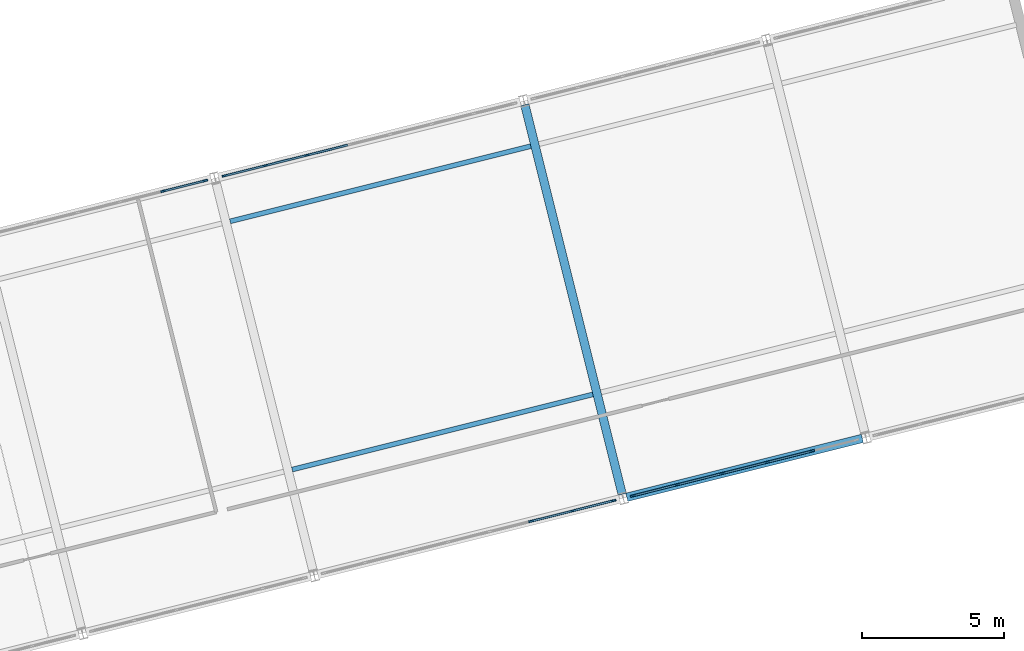
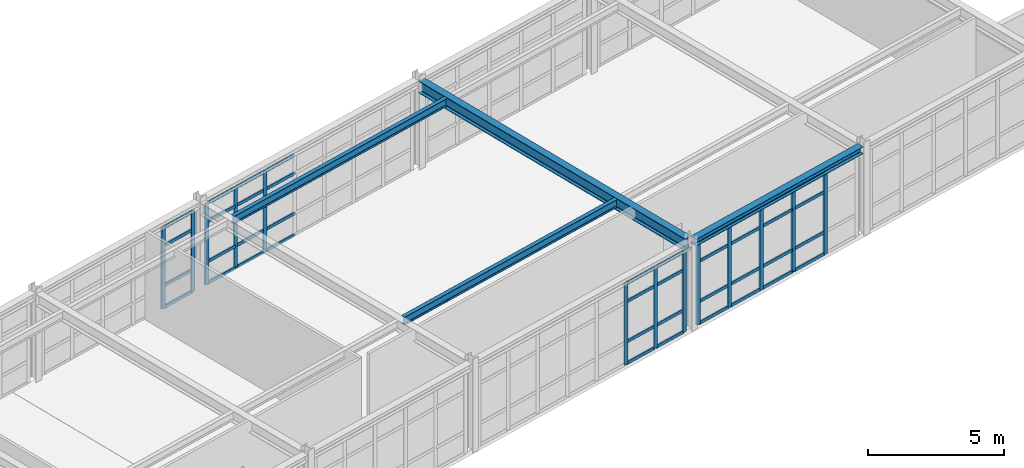
# One storey, part 21 of 76: 53 members, 4 beams, 4 elements without a shape of their own.
"""IFC4 building model written with IfcOpenShell, lengths in metres."""

from ifc_helpers import new_model, si_unit, direction, frame, origin, origin_2d, place, context, subcontext, project, spatial, rectangle, i_section, extrude, material, layer, layer_set, material_profile, profile_set, type_object, element, aggregate, save


model = new_model("IFC4")

# Units and contexts
model_context = context("Model", 3, precision=1e-05, world=origin(), true_north=direction((0.0, 1.0)))
body_context = subcontext(model_context, "Body", "Model", "MODEL_VIEW")
ifc_project = project(units=[si_unit("LENGTHUNIT", "METRE"), si_unit("AREAUNIT", "SQUARE_METRE"), si_unit("VOLUMEUNIT", "CUBIC_METRE"), si_unit("PLANEANGLEUNIT", "RADIAN"), si_unit("MASSUNIT", "GRAM", prefix="KILO")], contexts=[model_context])

# Site, building, storey
site_placement = place(None, origin())
site = spatial("IfcSite", under=ifc_project, at=site_placement, CompositionType="ELEMENT")
building_placement = place(site_placement, origin())
building = spatial("IfcBuilding", under=site, at=building_placement, Name="Nordkorset Police Headquarters", CompositionType="ELEMENT")
storey_placement = place(building_placement, frame((0.0, 0.0, 13.64990234375)))
storey = spatial("IfcBuildingStorey", under=building, at=storey_placement, Name="L03", CompositionType="ELEMENT", Elevation=13.64990234375)

# Beams
ifc_material_1 = material(Name="Steel S355J2", Category="steel")
ifc_material_profile_1 = material_profile(ifc_material_1, i_section(OverallWidth=0.169921875, OverallDepth=0.360107421875, WebThickness=0.008056640625, FlangeThickness=0.0126953125, FilletRadius=0.01806640625, at=origin_2d()), Name="IPE 360")
ifc_profile_set_1 = profile_set([ifc_material_profile_1], Name="Steel S355J2")
beam_type_1 = type_object("IfcBeamType", Name="Beam_IPE_360", PredefinedType="BEAM", material=ifc_profile_set_1)
for number, where, z_axis, x_axis, name in (
    (1, (50.763916015625, 52.7080078125, 3.800048828125), (0.970145135142, 0.242525084807, 0.0), (-0.242525084807, 0.970145135142, 0.0), "Splayed Wing Secondary Beam L03 3-1"),
    (2, (48.5810546875, 61.439208984375, 3.800048828125), (0.970145135142, 0.242525084807, 0.0), (-0.242525084807, 0.970145135142, 0.0), "Splayed Wing Secondary Beam L03 3-2"),
):
    element("IfcBeam", number, at=place(storey_placement, frame(where, z_axis=z_axis, x_axis=x_axis)), inside=storey, type_object=beam_type_1, Name=name, PredefinedType="BEAM", context=body_context, shape_type="SweptSolid", body=[
        extrude(i_section(OverallWidth=0.169921875, OverallDepth=0.360107421875, WebThickness=0.008056640625, FlangeThickness=0.0126953125, FilletRadius=0.01806640625, at=origin_2d()), origin(), (0.0, 0.0, 1.0), 10.900146484375),
    ])

# Curtain wall, members
ifc_material_2 = material(Name="Aluminium alloy AW-6060", Category="aluminium")
ifc_layer_1 = layer(ifc_material_2, 0.179931640625, Name="Aluminium alloy AW-6060")
ifc_layer_set_1 = layer_set([ifc_layer_1], Name="Aluminium alloy AW-6060")
curtain_wall_type_1 = type_object("IfcCurtainWallType", Name="CW_Unit_776x365", PredefinedType="USERDEFINED", material=ifc_layer_set_1)
curtain_wall_1_placement = place(storey_placement, origin())
curtain_wall_1 = element("IfcCurtainWall", 3, at=curtain_wall_1_placement, inside=storey, type_object=curtain_wall_type_1, Name="Unitised Curtain Wall L03 V4N-2", ObjectType="UNITISED CURTAIN WALL", PredefinedType="USERDEFINED")
ifc_material_3 = material(Name="Aluminium alloy AW-6060", Category="aluminium")
ifc_material_profile_2 = material_profile(ifc_material_3, rectangle(XDim=0.06494140625, YDim=0.179931640625, at=origin_2d()), Name="ALU MULL 65x180")
ifc_profile_set_2 = profile_set([ifc_material_profile_2], Name="Aluminium alloy AW-6060")
member_type_1 = type_object("IfcMemberType", Name="CW_Mullion_65x180", PredefinedType="MULLION", material=ifc_profile_set_2)
member_1_placement = place(storey_placement, frame((46.2314453125, 62.5009765625, 0.0), z_axis=(0.0, 0.0, 1.0), x_axis=(-0.242535928242, 0.970142424344, 0.0)))
member_1 = element("IfcMember", 4, at=member_1_placement, type_object=member_type_1, Name="CW-42 mullion 5", PredefinedType="MULLION", context=body_context, shape_type="SweptSolid", body=[
    extrude(rectangle(XDim=0.06494140625, YDim=0.179931640625, at=origin_2d()), origin(), (0.0, 0.0, 1.0), 3.650146484375),
])
member_2_placement = place(storey_placement, frame((47.70556640625, 62.86962890625, 0.0), z_axis=(0.0, 0.0, 1.0), x_axis=(-0.242535928242, 0.970142424344, 0.0)))
member_2 = element("IfcMember", 5, at=member_2_placement, type_object=member_type_1, Name="CW-42 mullion 6", PredefinedType="MULLION", context=body_context, shape_type="SweptSolid", body=[
    extrude(rectangle(XDim=0.06494140625, YDim=0.179931640625, at=origin_2d()), origin(), (0.0, 0.0, 1.0), 3.650146484375),
])

ifc_material_4 = material(Name="Aluminium alloy AW-6060", Category="aluminium")
ifc_layer_2 = layer(ifc_material_4, 0.179931640625, Name="Aluminium alloy AW-6060")
ifc_layer_set_2 = layer_set([ifc_layer_2], Name="Aluminium alloy AW-6060")
curtain_wall_type_2 = type_object("IfcCurtainWallType", Name="CW_Unit_1056x365", PredefinedType="USERDEFINED", material=ifc_layer_set_2)
curtain_wall_2_placement = place(storey_placement, origin())
curtain_wall_2 = element("IfcCurtainWall", 6, at=curtain_wall_2_placement, inside=storey, type_object=curtain_wall_type_2, Name="Unitised Curtain Wall L03 V4S-3", ObjectType="UNITISED CURTAIN WALL", PredefinedType="USERDEFINED")
member_3_placement = place(storey_placement, frame((59.168212890625, 50.89208984375, 0.0), z_axis=(0.0, 0.0, 1.0), x_axis=(-0.242535179399, 0.970142611554, 0.0)))
member_3 = element("IfcMember", 7, at=member_3_placement, type_object=member_type_1, Name="CW-11 mullion 6", PredefinedType="MULLION", context=body_context, shape_type="SweptSolid", body=[
    extrude(rectangle(XDim=0.06494140625, YDim=0.179931640625, at=origin_2d()), origin(), (0.0, 0.0, 1.0), 3.650146484375),
])
member_4_placement = place(storey_placement, frame((60.6318359375, 51.2578125, 0.0), z_axis=(0.0, 0.0, 1.0), x_axis=(-0.242535179399, 0.970142611554, 0.0)))
member_4 = element("IfcMember", 8, at=member_4_placement, type_object=member_type_1, Name="CW-11 mullion 7", PredefinedType="MULLION", context=body_context, shape_type="SweptSolid", body=[
    extrude(rectangle(XDim=0.06494140625, YDim=0.179931640625, at=origin_2d()), origin(), (0.0, 0.0, 1.0), 3.650146484375),
])
member_5_placement = place(storey_placement, frame((62.063720703125, 51.615966796875, 0.0), z_axis=(0.0, 0.0, 1.0), x_axis=(-0.242535179399, 0.970142611554, 0.0)))
member_5 = element("IfcMember", 9, at=member_5_placement, type_object=member_type_1, Name="CW-11 mullion 8", PredefinedType="MULLION", context=body_context, shape_type="SweptSolid", body=[
    extrude(rectangle(XDim=0.06494140625, YDim=0.179931640625, at=origin_2d()), origin(), (0.0, 0.0, 1.0), 3.650146484375),
])

curtain_wall_3_placement = place(storey_placement, origin())
curtain_wall_3 = element("IfcCurtainWall", 10, at=curtain_wall_3_placement, inside=storey, type_object=curtain_wall_type_2, Name="Unitised Curtain Wall L03 V4N-3", ObjectType="UNITISED CURTAIN WALL", PredefinedType="USERDEFINED")
member_6_placement = place(storey_placement, frame((48.3896484375, 63.04052734375, 0.0), z_axis=(0.0, 0.0, 1.0), x_axis=(-0.242536070676, 0.970142388735, 0.0)))
member_6 = element("IfcMember", 11, at=member_6_placement, type_object=member_type_1, Name="CW-11 mullion 1", PredefinedType="MULLION", context=body_context, shape_type="SweptSolid", body=[
    extrude(rectangle(XDim=0.06494140625, YDim=0.179931640625, at=origin_2d()), origin(), (0.0, 0.0, 1.0), 3.650146484375),
])
member_7_placement = place(storey_placement, frame((49.821533203125, 63.398681640625, 0.0), z_axis=(0.0, 0.0, 1.0), x_axis=(-0.242536070676, 0.970142388735, 0.0)))
member_7 = element("IfcMember", 12, at=member_7_placement, type_object=member_type_1, Name="CW-11 mullion 2", PredefinedType="MULLION", context=body_context, shape_type="SweptSolid", body=[
    extrude(rectangle(XDim=0.06494140625, YDim=0.179931640625, at=origin_2d()), origin(), (0.0, 0.0, 1.0), 3.650146484375),
])
member_8_placement = place(storey_placement, frame((51.28515625, 63.764404296875, 0.0), z_axis=(0.0, 0.0, 1.0), x_axis=(-0.242536070676, 0.970142388735, 0.0)))
member_8 = element("IfcMember", 13, at=member_8_placement, type_object=member_type_1, Name="CW-11 mullion 3", PredefinedType="MULLION", context=body_context, shape_type="SweptSolid", body=[
    extrude(rectangle(XDim=0.06494140625, YDim=0.179931640625, at=origin_2d()), origin(), (0.0, 0.0, 1.0), 3.650146484375),
])

ifc_material_5 = material(Name="Aluminium alloy AW-6060", Category="aluminium")
ifc_layer_3 = layer(ifc_material_5, 0.179931640625, Name="Aluminium alloy AW-6060")
ifc_layer_set_3 = layer_set([ifc_layer_3], Name="Aluminium alloy AW-6060")
curtain_wall_type_3 = type_object("IfcCurtainWallType", Name="CW_Unit_816x366", PredefinedType="USERDEFINED", material=ifc_layer_set_3)
curtain_wall_4_placement = place(storey_placement, origin())
curtain_wall_4 = element("IfcCurtainWall", 14, at=curtain_wall_4_placement, inside=storey, type_object=curtain_wall_type_3, Name="Unitised Curtain Wall L03 V4S-4", ObjectType="UNITISED CURTAIN WALL", PredefinedType="USERDEFINED")
member_9_placement = place(storey_placement, frame((62.74755859375, 51.786865234375, 0.0), z_axis=(0.0, 0.0, 1.0), x_axis=(-0.242535625038, 0.970142500145, 0.0)))
member_9 = element("IfcMember", 15, at=member_9_placement, type_object=member_type_1, Name="CW-87 mullion 1", PredefinedType="MULLION", context=body_context, shape_type="SweptSolid", body=[
    extrude(rectangle(XDim=0.06494140625, YDim=0.179931640625, at=origin_2d()), origin(), (0.0, 0.0, 1.0), 3.655029296875),
])
member_10_placement = place(storey_placement, frame((64.29931640625, 52.1748046875, 0.0), z_axis=(0.0, 0.0, 1.0), x_axis=(-0.242535625038, 0.970142500145, 0.0)))
member_10 = element("IfcMember", 16, at=member_10_placement, type_object=member_type_1, Name="CW-87 mullion 2", PredefinedType="MULLION", context=body_context, shape_type="SweptSolid", body=[
    extrude(rectangle(XDim=0.06494140625, YDim=0.179931640625, at=origin_2d()), origin(), (0.0, 0.0, 1.0), 3.655029296875),
])
member_11_placement = place(storey_placement, frame((65.8828125, 52.570556640625, 0.0), z_axis=(0.0, 0.0, 1.0), x_axis=(-0.242535625038, 0.970142500145, 0.0)))
member_11 = element("IfcMember", 17, at=member_11_placement, type_object=member_type_1, Name="CW-87 mullion 3", PredefinedType="MULLION", context=body_context, shape_type="SweptSolid", body=[
    extrude(rectangle(XDim=0.06494140625, YDim=0.179931640625, at=origin_2d()), origin(), (0.0, 0.0, 1.0), 3.655029296875),
])
member_12_placement = place(storey_placement, frame((67.466064453125, 52.966552734375, 0.0), z_axis=(0.0, 0.0, 1.0), x_axis=(-0.242535625038, 0.970142500145, 0.0)))
member_12 = element("IfcMember", 18, at=member_12_placement, type_object=member_type_1, Name="CW-87 mullion 4", PredefinedType="MULLION", context=body_context, shape_type="SweptSolid", body=[
    extrude(rectangle(XDim=0.06494140625, YDim=0.179931640625, at=origin_2d()), origin(), (0.0, 0.0, 1.0), 3.655029296875),
])
member_13_placement = place(storey_placement, frame((69.04931640625, 53.3623046875, 0.0), z_axis=(0.0, 0.0, 1.0), x_axis=(-0.242535625038, 0.970142500145, 0.0)))
member_13 = element("IfcMember", 19, at=member_13_placement, type_object=member_type_1, Name="CW-87 mullion 5", PredefinedType="MULLION", context=body_context, shape_type="SweptSolid", body=[
    extrude(rectangle(XDim=0.06494140625, YDim=0.179931640625, at=origin_2d()), origin(), (0.0, 0.0, 1.0), 3.655029296875),
])

# Member
ifc_material_6 = material(Name="Aluminium alloy AW-6060", Category="aluminium")
ifc_material_profile_3 = material_profile(ifc_material_6, rectangle(XDim=0.06494140625, YDim=0.139892578125, at=origin_2d()), Name="ALU TRAN 65x140")
ifc_profile_set_3 = profile_set([ifc_material_profile_3], Name="Aluminium alloy AW-6060")
member_type_2 = type_object("IfcMemberType", Name="CW_Transom_65x140", PredefinedType="USERDEFINED", material=ifc_profile_set_3)
member_14_placement = place(storey_placement, frame((46.262939453125, 62.509033203125, 0.03271484375), z_axis=(0.970142500145, 0.242535625036, 0.0), x_axis=(-0.242535625036, 0.970142500145, 0.0)))
member_14 = element("IfcMember", 20, at=member_14_placement, type_object=member_type_2, Name="CW-42 transom 5.1", ObjectType="TRANSOM", PredefinedType="USERDEFINED", context=body_context, shape_type="SweptSolid", body=[
    extrude(rectangle(XDim=0.06494140625, YDim=0.139892578125, at=origin_2d()), origin(), (0.0, 0.0, 1.0), 1.45458984375),
])

member_15_placement = place(storey_placement, frame((46.262939453125, 62.509033203125, 1.0), z_axis=(0.970142500145, 0.242535625036, 0.0), x_axis=(-0.242535625036, 0.970142500145, 0.0)))
member_15 = element("IfcMember", 21, at=member_15_placement, type_object=member_type_2, Name="CW-42 transom 5.2", ObjectType="TRANSOM", PredefinedType="USERDEFINED", context=body_context, shape_type="SweptSolid", body=[
    extrude(rectangle(XDim=0.06494140625, YDim=0.139892578125, at=origin_2d()), origin(), (0.0, 0.0, 1.0), 1.45458984375),
])

member_16_placement = place(storey_placement, frame((46.262939453125, 62.509033203125, 2.800048828125), z_axis=(0.970142500145, 0.242535625036, 0.0), x_axis=(-0.242535625036, 0.970142500145, 0.0)))
member_16 = element("IfcMember", 22, at=member_16_placement, type_object=member_type_2, Name="CW-42 transom 5.3", ObjectType="TRANSOM", PredefinedType="USERDEFINED", context=body_context, shape_type="SweptSolid", body=[
    extrude(rectangle(XDim=0.06494140625, YDim=0.139892578125, at=origin_2d()), origin(), (0.0, 0.0, 1.0), 1.45458984375),
])

member_17_placement = place(storey_placement, frame((46.262939453125, 62.509033203125, 3.61767578125), z_axis=(0.970142500145, 0.242535625036, 0.0), x_axis=(-0.242535625036, 0.970142500145, 0.0)))
member_17 = element("IfcMember", 23, at=member_17_placement, type_object=member_type_2, Name="CW-42 transom 5.4", ObjectType="TRANSOM", PredefinedType="USERDEFINED", context=body_context, shape_type="SweptSolid", body=[
    extrude(rectangle(XDim=0.06494140625, YDim=0.139892578125, at=origin_2d()), origin(), (0.0, 0.0, 1.0), 1.45458984375),
])

aggregate(curtain_wall_1, [member_1, member_2, member_14, member_15, member_16, member_17])

member_18_placement = place(storey_placement, frame((59.19970703125, 50.89990234375, 0.03271484375), z_axis=(0.970142500145, 0.242535625036, 0.0), x_axis=(-0.242535625036, 0.970142500145, 0.0)))
member_18 = element("IfcMember", 24, at=member_18_placement, type_object=member_type_2, Name="CW-11 transom 6.1", ObjectType="TRANSOM", PredefinedType="USERDEFINED", context=body_context, shape_type="SweptSolid", body=[
    extrude(rectangle(XDim=0.06494140625, YDim=0.139892578125, at=origin_2d()), origin(), (0.0, 0.0, 1.0), 1.443603515625),
])

member_19_placement = place(storey_placement, frame((59.19970703125, 50.89990234375, 1.0), z_axis=(0.970142500145, 0.242535625036, 0.0), x_axis=(-0.242535625036, 0.970142500145, 0.0)))
member_19 = element("IfcMember", 25, at=member_19_placement, type_object=member_type_2, Name="CW-11 transom 6.2", ObjectType="TRANSOM", PredefinedType="USERDEFINED", context=body_context, shape_type="SweptSolid", body=[
    extrude(rectangle(XDim=0.06494140625, YDim=0.139892578125, at=origin_2d()), origin(), (0.0, 0.0, 1.0), 1.443603515625),
])

member_20_placement = place(storey_placement, frame((59.19970703125, 50.89990234375, 2.800048828125), z_axis=(0.970142500145, 0.242535625036, 0.0), x_axis=(-0.242535625036, 0.970142500145, 0.0)))
member_20 = element("IfcMember", 26, at=member_20_placement, type_object=member_type_2, Name="CW-11 transom 6.3", ObjectType="TRANSOM", PredefinedType="USERDEFINED", context=body_context, shape_type="SweptSolid", body=[
    extrude(rectangle(XDim=0.06494140625, YDim=0.139892578125, at=origin_2d()), origin(), (0.0, 0.0, 1.0), 1.443603515625),
])

member_21_placement = place(storey_placement, frame((59.19970703125, 50.89990234375, 3.61767578125), z_axis=(0.970142500145, 0.242535625036, 0.0), x_axis=(-0.242535625036, 0.970142500145, 0.0)))
member_21 = element("IfcMember", 27, at=member_21_placement, type_object=member_type_2, Name="CW-11 transom 6.4", ObjectType="TRANSOM", PredefinedType="USERDEFINED", context=body_context, shape_type="SweptSolid", body=[
    extrude(rectangle(XDim=0.06494140625, YDim=0.139892578125, at=origin_2d()), origin(), (0.0, 0.0, 1.0), 1.443603515625),
])

member_22_placement = place(storey_placement, frame((60.663330078125, 51.265869140625, 0.03271484375), z_axis=(0.970132321548, 0.242576335796, 0.0), x_axis=(-0.242576335796, 0.970132321548, 0.0)))
member_22 = element("IfcMember", 28, at=member_22_placement, type_object=member_type_2, Name="CW-11 transom 7.1", ObjectType="TRANSOM", PredefinedType="USERDEFINED", context=body_context, shape_type="SweptSolid", body=[
    extrude(rectangle(XDim=0.06494140625, YDim=0.139892578125, at=origin_2d()), origin(), (0.0, 0.0, 1.0), 1.4111328125),
])

member_23_placement = place(storey_placement, frame((60.663330078125, 51.265869140625, 1.0), z_axis=(0.970132321548, 0.242576335796, 0.0), x_axis=(-0.242576335796, 0.970132321548, 0.0)))
member_23 = element("IfcMember", 29, at=member_23_placement, type_object=member_type_2, Name="CW-11 transom 7.2", ObjectType="TRANSOM", PredefinedType="USERDEFINED", context=body_context, shape_type="SweptSolid", body=[
    extrude(rectangle(XDim=0.06494140625, YDim=0.139892578125, at=origin_2d()), origin(), (0.0, 0.0, 1.0), 1.4111328125),
])

member_24_placement = place(storey_placement, frame((60.663330078125, 51.265869140625, 2.800048828125), z_axis=(0.970132321548, 0.242576335796, 0.0), x_axis=(-0.242576335796, 0.970132321548, 0.0)))
member_24 = element("IfcMember", 30, at=member_24_placement, type_object=member_type_2, Name="CW-11 transom 7.3", ObjectType="TRANSOM", PredefinedType="USERDEFINED", context=body_context, shape_type="SweptSolid", body=[
    extrude(rectangle(XDim=0.06494140625, YDim=0.139892578125, at=origin_2d()), origin(), (0.0, 0.0, 1.0), 1.4111328125),
])

member_25_placement = place(storey_placement, frame((60.663330078125, 51.265869140625, 3.61767578125), z_axis=(0.970132321548, 0.242576335796, 0.0), x_axis=(-0.242576335796, 0.970132321548, 0.0)))
member_25 = element("IfcMember", 31, at=member_25_placement, type_object=member_type_2, Name="CW-11 transom 7.4", ObjectType="TRANSOM", PredefinedType="USERDEFINED", context=body_context, shape_type="SweptSolid", body=[
    extrude(rectangle(XDim=0.06494140625, YDim=0.139892578125, at=origin_2d()), origin(), (0.0, 0.0, 1.0), 1.4111328125),
])

aggregate(curtain_wall_2, [member_3, member_4, member_5, member_18, member_19, member_20, member_21, member_22, member_23, member_24, member_25])

member_26_placement = place(storey_placement, frame((48.421142578125, 63.04833984375, 0.03271484375), z_axis=(0.970132321548, 0.242576335796, 0.0), x_axis=(-0.242576335796, 0.970132321548, 0.0)))
member_26 = element("IfcMember", 32, at=member_26_placement, type_object=member_type_2, Name="CW-11 transom 1.1", ObjectType="TRANSOM", PredefinedType="USERDEFINED", context=body_context, shape_type="SweptSolid", body=[
    extrude(rectangle(XDim=0.06494140625, YDim=0.139892578125, at=origin_2d()), origin(), (0.0, 0.0, 1.0), 1.4111328125),
])

member_27_placement = place(storey_placement, frame((48.421142578125, 63.04833984375, 1.0), z_axis=(0.970132321548, 0.242576335796, 0.0), x_axis=(-0.242576335796, 0.970132321548, 0.0)))
member_27 = element("IfcMember", 33, at=member_27_placement, type_object=member_type_2, Name="CW-11 transom 1.2", ObjectType="TRANSOM", PredefinedType="USERDEFINED", context=body_context, shape_type="SweptSolid", body=[
    extrude(rectangle(XDim=0.06494140625, YDim=0.139892578125, at=origin_2d()), origin(), (0.0, 0.0, 1.0), 1.4111328125),
])

member_28_placement = place(storey_placement, frame((48.421142578125, 63.04833984375, 2.800048828125), z_axis=(0.970132321548, 0.242576335796, 0.0), x_axis=(-0.242576335796, 0.970132321548, 0.0)))
member_28 = element("IfcMember", 34, at=member_28_placement, type_object=member_type_2, Name="CW-11 transom 1.3", ObjectType="TRANSOM", PredefinedType="USERDEFINED", context=body_context, shape_type="SweptSolid", body=[
    extrude(rectangle(XDim=0.06494140625, YDim=0.139892578125, at=origin_2d()), origin(), (0.0, 0.0, 1.0), 1.4111328125),
])

member_29_placement = place(storey_placement, frame((48.421142578125, 63.04833984375, 3.61767578125), z_axis=(0.970132321548, 0.242576335796, 0.0), x_axis=(-0.242576335796, 0.970132321548, 0.0)))
member_29 = element("IfcMember", 35, at=member_29_placement, type_object=member_type_2, Name="CW-11 transom 1.4", ObjectType="TRANSOM", PredefinedType="USERDEFINED", context=body_context, shape_type="SweptSolid", body=[
    extrude(rectangle(XDim=0.06494140625, YDim=0.139892578125, at=origin_2d()), origin(), (0.0, 0.0, 1.0), 1.4111328125),
])

member_30_placement = place(storey_placement, frame((49.85302734375, 63.406494140625, 0.03271484375), z_axis=(0.970152446652, 0.242495835541, 0.0), x_axis=(-0.242495835541, 0.970152446652, 0.0)))
member_30 = element("IfcMember", 36, at=member_30_placement, type_object=member_type_2, Name="CW-11 transom 2.1", ObjectType="TRANSOM", PredefinedType="USERDEFINED", context=body_context, shape_type="SweptSolid", body=[
    extrude(rectangle(XDim=0.06494140625, YDim=0.139892578125, at=origin_2d()), origin(), (0.0, 0.0, 1.0), 1.44384765625),
])

member_31_placement = place(storey_placement, frame((49.85302734375, 63.406494140625, 1.0), z_axis=(0.970152446652, 0.242495835541, 0.0), x_axis=(-0.242495835541, 0.970152446652, 0.0)))
member_31 = element("IfcMember", 37, at=member_31_placement, type_object=member_type_2, Name="CW-11 transom 2.2", ObjectType="TRANSOM", PredefinedType="USERDEFINED", context=body_context, shape_type="SweptSolid", body=[
    extrude(rectangle(XDim=0.06494140625, YDim=0.139892578125, at=origin_2d()), origin(), (0.0, 0.0, 1.0), 1.44384765625),
])

member_32_placement = place(storey_placement, frame((49.85302734375, 63.406494140625, 2.800048828125), z_axis=(0.970152446652, 0.242495835541, 0.0), x_axis=(-0.242495835541, 0.970152446652, 0.0)))
member_32 = element("IfcMember", 38, at=member_32_placement, type_object=member_type_2, Name="CW-11 transom 2.3", ObjectType="TRANSOM", PredefinedType="USERDEFINED", context=body_context, shape_type="SweptSolid", body=[
    extrude(rectangle(XDim=0.06494140625, YDim=0.139892578125, at=origin_2d()), origin(), (0.0, 0.0, 1.0), 1.44384765625),
])

member_33_placement = place(storey_placement, frame((49.85302734375, 63.406494140625, 3.61767578125), z_axis=(0.970152446652, 0.242495835541, 0.0), x_axis=(-0.242495835541, 0.970152446652, 0.0)))
member_33 = element("IfcMember", 39, at=member_33_placement, type_object=member_type_2, Name="CW-11 transom 2.4", ObjectType="TRANSOM", PredefinedType="USERDEFINED", context=body_context, shape_type="SweptSolid", body=[
    extrude(rectangle(XDim=0.06494140625, YDim=0.139892578125, at=origin_2d()), origin(), (0.0, 0.0, 1.0), 1.44384765625),
])

member_34_placement = place(storey_placement, frame((51.316650390625, 63.772216796875, 0.03271484375), z_axis=(0.9701026929, 0.24269479852, 0.0), x_axis=(-0.24269479852, 0.9701026929, 0.0)))
member_34 = element("IfcMember", 40, at=member_34_placement, type_object=member_type_2, Name="CW-11 transom 3.1", ObjectType="TRANSOM", PredefinedType="USERDEFINED", context=body_context, shape_type="SweptSolid", body=[
    extrude(rectangle(XDim=0.06494140625, YDim=0.139892578125, at=origin_2d()), origin(), (0.0, 0.0, 1.0), 1.443603515625),
])

member_35_placement = place(storey_placement, frame((51.316650390625, 63.772216796875, 1.0), z_axis=(0.9701026929, 0.24269479852, 0.0), x_axis=(-0.24269479852, 0.9701026929, 0.0)))
member_35 = element("IfcMember", 41, at=member_35_placement, type_object=member_type_2, Name="CW-11 transom 3.2", ObjectType="TRANSOM", PredefinedType="USERDEFINED", context=body_context, shape_type="SweptSolid", body=[
    extrude(rectangle(XDim=0.06494140625, YDim=0.139892578125, at=origin_2d()), origin(), (0.0, 0.0, 1.0), 1.443603515625),
])

member_36_placement = place(storey_placement, frame((51.316650390625, 63.772216796875, 2.800048828125), z_axis=(0.9701026929, 0.24269479852, 0.0), x_axis=(-0.24269479852, 0.9701026929, 0.0)))
member_36 = element("IfcMember", 42, at=member_36_placement, type_object=member_type_2, Name="CW-11 transom 3.3", ObjectType="TRANSOM", PredefinedType="USERDEFINED", context=body_context, shape_type="SweptSolid", body=[
    extrude(rectangle(XDim=0.06494140625, YDim=0.139892578125, at=origin_2d()), origin(), (0.0, 0.0, 1.0), 1.443603515625),
])

member_37_placement = place(storey_placement, frame((51.316650390625, 63.772216796875, 3.61767578125), z_axis=(0.9701026929, 0.24269479852, 0.0), x_axis=(-0.24269479852, 0.9701026929, 0.0)))
member_37 = element("IfcMember", 43, at=member_37_placement, type_object=member_type_2, Name="CW-11 transom 3.4", ObjectType="TRANSOM", PredefinedType="USERDEFINED", context=body_context, shape_type="SweptSolid", body=[
    extrude(rectangle(XDim=0.06494140625, YDim=0.139892578125, at=origin_2d()), origin(), (0.0, 0.0, 1.0), 1.443603515625),
])

aggregate(curtain_wall_3, [member_6, member_7, member_8, member_26, member_27, member_28, member_29, member_30, member_31, member_32, member_33, member_34, member_35, member_36, member_37])

member_38_placement = place(storey_placement, frame((62.779296875, 51.794921875, 0.03271484375), z_axis=(0.970151859396, 0.242498184963, 0.0), x_axis=(-0.242498184963, 0.970151859396, 0.0)))
member_38 = element("IfcMember", 44, at=member_38_placement, type_object=member_type_2, Name="CW-87 transom 1.1", ObjectType="TRANSOM", PredefinedType="USERDEFINED", context=body_context, shape_type="SweptSolid", body=[
    extrude(rectangle(XDim=0.06494140625, YDim=0.139892578125, at=origin_2d()), origin(), (0.0, 0.0, 1.0), 1.534423828125),
])

member_39_placement = place(storey_placement, frame((62.779296875, 51.794921875, 1.0), z_axis=(0.970151859396, 0.242498184963, 0.0), x_axis=(-0.242498184963, 0.970151859396, 0.0)))
member_39 = element("IfcMember", 45, at=member_39_placement, type_object=member_type_2, Name="CW-87 transom 1.2", ObjectType="TRANSOM", PredefinedType="USERDEFINED", context=body_context, shape_type="SweptSolid", body=[
    extrude(rectangle(XDim=0.06494140625, YDim=0.139892578125, at=origin_2d()), origin(), (0.0, 0.0, 1.0), 1.534423828125),
])

member_40_placement = place(storey_placement, frame((62.779296875, 51.794921875, 2.80517578125), z_axis=(0.970151859396, 0.242498184963, 0.0), x_axis=(-0.242498184963, 0.970151859396, 0.0)))
member_40 = element("IfcMember", 46, at=member_40_placement, type_object=member_type_2, Name="CW-87 transom 1.3", ObjectType="TRANSOM", PredefinedType="USERDEFINED", context=body_context, shape_type="SweptSolid", body=[
    extrude(rectangle(XDim=0.06494140625, YDim=0.139892578125, at=origin_2d()), origin(), (0.0, 0.0, 1.0), 1.534423828125),
])

member_41_placement = place(storey_placement, frame((62.779296875, 51.794921875, 3.62255859375), z_axis=(0.970151859396, 0.242498184963, 0.0), x_axis=(-0.242498184963, 0.970151859396, 0.0)))
member_41 = element("IfcMember", 47, at=member_41_placement, type_object=member_type_2, Name="CW-87 transom 1.4", ObjectType="TRANSOM", PredefinedType="USERDEFINED", context=body_context, shape_type="SweptSolid", body=[
    extrude(rectangle(XDim=0.06494140625, YDim=0.139892578125, at=origin_2d()), origin(), (0.0, 0.0, 1.0), 1.534423828125),
])

member_42_placement = place(storey_placement, frame((64.3310546875, 52.182861328125, 0.03271484375), z_axis=(0.970160829621, 0.242462295357, 0.0), x_axis=(-0.242462295357, 0.970160829621, 0.0)))
member_42 = element("IfcMember", 48, at=member_42_placement, type_object=member_type_2, Name="CW-87 transom 2.1", ObjectType="TRANSOM", PredefinedType="USERDEFINED", context=body_context, shape_type="SweptSolid", body=[
    extrude(rectangle(XDim=0.06494140625, YDim=0.139892578125, at=origin_2d()), origin(), (0.0, 0.0, 1.0), 1.566650390625),
])

member_43_placement = place(storey_placement, frame((64.3310546875, 52.182861328125, 1.0), z_axis=(0.970160829621, 0.242462295357, 0.0), x_axis=(-0.242462295357, 0.970160829621, 0.0)))
member_43 = element("IfcMember", 49, at=member_43_placement, type_object=member_type_2, Name="CW-87 transom 2.2", ObjectType="TRANSOM", PredefinedType="USERDEFINED", context=body_context, shape_type="SweptSolid", body=[
    extrude(rectangle(XDim=0.06494140625, YDim=0.139892578125, at=origin_2d()), origin(), (0.0, 0.0, 1.0), 1.566650390625),
])

member_44_placement = place(storey_placement, frame((64.3310546875, 52.182861328125, 2.80517578125), z_axis=(0.970160829621, 0.242462295357, 0.0), x_axis=(-0.242462295357, 0.970160829621, 0.0)))
member_44 = element("IfcMember", 50, at=member_44_placement, type_object=member_type_2, Name="CW-87 transom 2.3", ObjectType="TRANSOM", PredefinedType="USERDEFINED", context=body_context, shape_type="SweptSolid", body=[
    extrude(rectangle(XDim=0.06494140625, YDim=0.139892578125, at=origin_2d()), origin(), (0.0, 0.0, 1.0), 1.566650390625),
])

member_45_placement = place(storey_placement, frame((64.3310546875, 52.182861328125, 3.62255859375), z_axis=(0.970160829621, 0.242462295357, 0.0), x_axis=(-0.242462295357, 0.970160829621, 0.0)))
member_45 = element("IfcMember", 51, at=member_45_placement, type_object=member_type_2, Name="CW-87 transom 2.4", ObjectType="TRANSOM", PredefinedType="USERDEFINED", context=body_context, shape_type="SweptSolid", body=[
    extrude(rectangle(XDim=0.06494140625, YDim=0.139892578125, at=origin_2d()), origin(), (0.0, 0.0, 1.0), 1.566650390625),
])

member_46_placement = place(storey_placement, frame((65.914306640625, 52.57861328125, 0.03271484375), z_axis=(0.970160829621, 0.242462295357, 0.0), x_axis=(-0.242462295357, 0.970160829621, 0.0)))
member_46 = element("IfcMember", 52, at=member_46_placement, type_object=member_type_2, Name="CW-87 transom 3.1", ObjectType="TRANSOM", PredefinedType="USERDEFINED", context=body_context, shape_type="SweptSolid", body=[
    extrude(rectangle(XDim=0.06494140625, YDim=0.139892578125, at=origin_2d()), origin(), (0.0, 0.0, 1.0), 1.566650390625),
])

member_47_placement = place(storey_placement, frame((65.914306640625, 52.57861328125, 1.0), z_axis=(0.970160829621, 0.242462295357, 0.0), x_axis=(-0.242462295357, 0.970160829621, 0.0)))
member_47 = element("IfcMember", 53, at=member_47_placement, type_object=member_type_2, Name="CW-87 transom 3.2", ObjectType="TRANSOM", PredefinedType="USERDEFINED", context=body_context, shape_type="SweptSolid", body=[
    extrude(rectangle(XDim=0.06494140625, YDim=0.139892578125, at=origin_2d()), origin(), (0.0, 0.0, 1.0), 1.566650390625),
])

member_48_placement = place(storey_placement, frame((65.914306640625, 52.57861328125, 2.80517578125), z_axis=(0.970160829621, 0.242462295357, 0.0), x_axis=(-0.242462295357, 0.970160829621, 0.0)))
member_48 = element("IfcMember", 54, at=member_48_placement, type_object=member_type_2, Name="CW-87 transom 3.3", ObjectType="TRANSOM", PredefinedType="USERDEFINED", context=body_context, shape_type="SweptSolid", body=[
    extrude(rectangle(XDim=0.06494140625, YDim=0.139892578125, at=origin_2d()), origin(), (0.0, 0.0, 1.0), 1.566650390625),
])

member_49_placement = place(storey_placement, frame((65.914306640625, 52.57861328125, 3.62255859375), z_axis=(0.970160829621, 0.242462295357, 0.0), x_axis=(-0.242462295357, 0.970160829621, 0.0)))
member_49 = element("IfcMember", 55, at=member_49_placement, type_object=member_type_2, Name="CW-87 transom 3.4", ObjectType="TRANSOM", PredefinedType="USERDEFINED", context=body_context, shape_type="SweptSolid", body=[
    extrude(rectangle(XDim=0.06494140625, YDim=0.139892578125, at=origin_2d()), origin(), (0.0, 0.0, 1.0), 1.566650390625),
])

member_50_placement = place(storey_placement, frame((67.49755859375, 52.974365234375, 0.03271484375), z_axis=(0.970133335061, 0.24257228243, 0.0), x_axis=(-0.24257228243, 0.970133335061, 0.0)))
member_50 = element("IfcMember", 56, at=member_50_placement, type_object=member_type_2, Name="CW-87 transom 4.1", ObjectType="TRANSOM", PredefinedType="USERDEFINED", context=body_context, shape_type="SweptSolid", body=[
    extrude(rectangle(XDim=0.06494140625, YDim=0.139892578125, at=origin_2d()), origin(), (0.0, 0.0, 1.0), 1.567138671875),
])

member_51_placement = place(storey_placement, frame((67.49755859375, 52.974365234375, 1.0), z_axis=(0.970133335061, 0.24257228243, 0.0), x_axis=(-0.24257228243, 0.970133335061, 0.0)))
member_51 = element("IfcMember", 57, at=member_51_placement, type_object=member_type_2, Name="CW-87 transom 4.2", ObjectType="TRANSOM", PredefinedType="USERDEFINED", context=body_context, shape_type="SweptSolid", body=[
    extrude(rectangle(XDim=0.06494140625, YDim=0.139892578125, at=origin_2d()), origin(), (0.0, 0.0, 1.0), 1.567138671875),
])

member_52_placement = place(storey_placement, frame((67.49755859375, 52.974365234375, 2.80517578125), z_axis=(0.970133335061, 0.24257228243, 0.0), x_axis=(-0.24257228243, 0.970133335061, 0.0)))
member_52 = element("IfcMember", 58, at=member_52_placement, type_object=member_type_2, Name="CW-87 transom 4.3", ObjectType="TRANSOM", PredefinedType="USERDEFINED", context=body_context, shape_type="SweptSolid", body=[
    extrude(rectangle(XDim=0.06494140625, YDim=0.139892578125, at=origin_2d()), origin(), (0.0, 0.0, 1.0), 1.567138671875),
])

member_53_placement = place(storey_placement, frame((67.49755859375, 52.974365234375, 3.62255859375), z_axis=(0.970133335061, 0.24257228243, 0.0), x_axis=(-0.24257228243, 0.970133335061, 0.0)))
member_53 = element("IfcMember", 59, at=member_53_placement, type_object=member_type_2, Name="CW-87 transom 4.4", ObjectType="TRANSOM", PredefinedType="USERDEFINED", context=body_context, shape_type="SweptSolid", body=[
    extrude(rectangle(XDim=0.06494140625, YDim=0.139892578125, at=origin_2d()), origin(), (0.0, 0.0, 1.0), 1.567138671875),
])

aggregate(curtain_wall_4, [member_9, member_10, member_11, member_12, member_13, member_38, member_39, member_40, member_41, member_42, member_43, member_44, member_45, member_46, member_47, member_48, member_49, member_50, member_51, member_52, member_53])

# Beams
ifc_material_7 = material(Name="Steel S355J2", Category="steel")
ifc_material_profile_4 = material_profile(ifc_material_7, i_section(OverallWidth=0.300048828125, OverallDepth=0.5400390625, WebThickness=0.012451171875, FlangeThickness=0.02392578125, FilletRadius=0.027099609375, at=origin_2d()), Name="HEA 550")
ifc_profile_set_4 = profile_set([ifc_material_profile_4], Name="Steel S355J2")
beam_type_2 = type_object("IfcBeamType", Name="Girder_HEA_550", PredefinedType="USERDEFINED", material=ifc_profile_set_4)
beam_1_placement = place(storey_placement, frame((62.371826171875, 51.837158203125, 3.710205078125), z_axis=(-0.24254782991, 0.970139448845, 0.0), x_axis=(-0.970139448845, -0.24254782991, 0.0)))
element("IfcBeam", 60, at=beam_1_placement, inside=storey, type_object=beam_type_2, Name="Splayed Wing Transverse Girder L03 4", ObjectType="GIRDER", PredefinedType="USERDEFINED", context=body_context, shape_type="SweptSolid", body=[
    extrude(i_section(OverallWidth=0.300048828125, OverallDepth=0.5400390625, WebThickness=0.012451171875, FlangeThickness=0.02392578125, FilletRadius=0.027099609375, at=origin_2d()), origin(), (0.0, 0.0, 1.0), 14.1201171875),
])
ifc_material_8 = material(Name="Steel S355J2", Category="steel")
ifc_material_profile_5 = material_profile(ifc_material_8, i_section(OverallWidth=0.300048828125, OverallDepth=0.31005859375, WebThickness=0.009033203125, FlangeThickness=0.015380859375, FilletRadius=0.027099609375, at=origin_2d()), Name="HEA 320")
ifc_profile_set_5 = profile_set([ifc_material_profile_5], Name="Steel S355J2")
beam_type_3 = type_object("IfcBeamType", Name="Spandrel_HEA_320", PredefinedType="SPANDREL", material=ifc_profile_set_5)
beam_2_placement = place(storey_placement, frame((62.53173828125, 51.73291015625, 3.830078125), z_axis=(0.970142500145, 0.242535625036, 0.0), x_axis=(-0.242535625036, 0.970142500145, 0.0)))
element("IfcBeam", 61, at=beam_2_placement, inside=storey, type_object=beam_type_3, Name="Splayed Wing Spandrel L03 4-0", PredefinedType="SPANDREL", context=body_context, shape_type="SweptSolid", body=[
    extrude(i_section(OverallWidth=0.300048828125, OverallDepth=0.31005859375, WebThickness=0.009033203125, FlangeThickness=0.015380859375, FilletRadius=0.027099609375, at=origin_2d()), origin(), (0.0, 0.0, 1.0), 8.5400390625),
])

save(model, "model.ifc")
